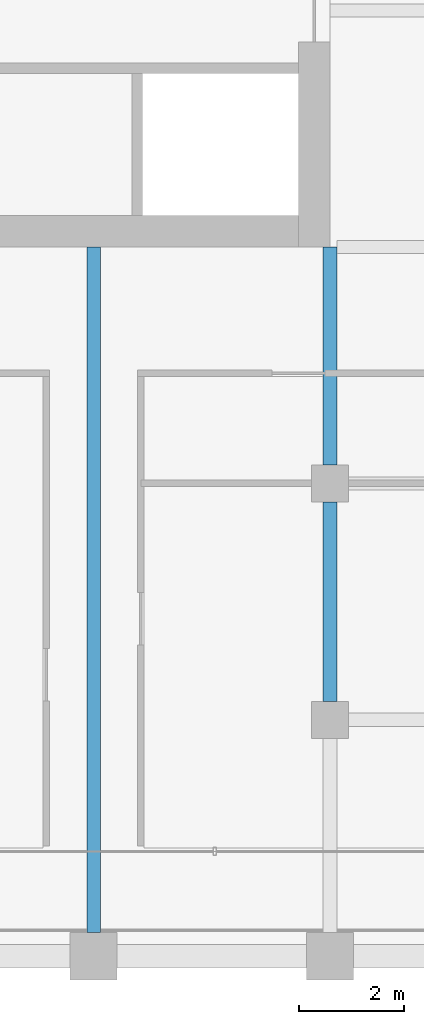
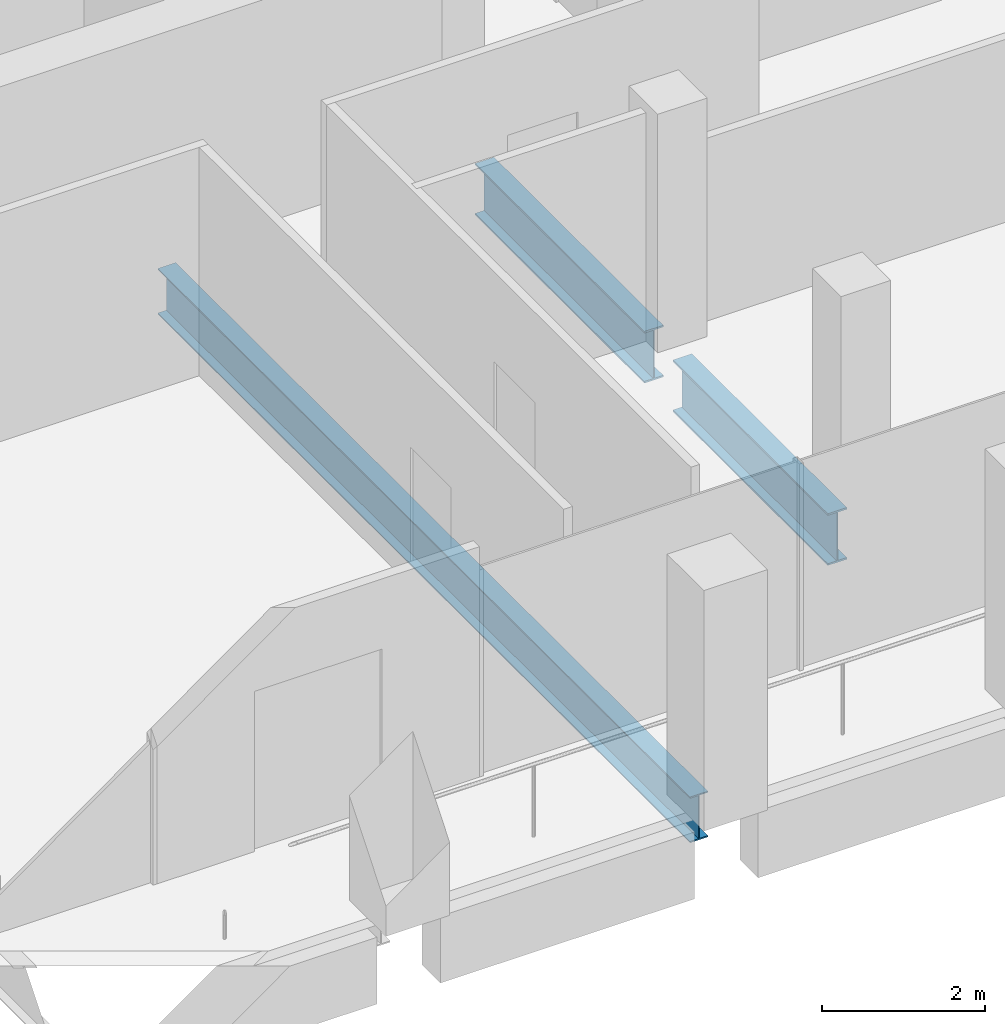
# One storey, part 10 of 40: 3 beams.
"""IFC4 building model written with IfcOpenShell, lengths in metres."""

from ifc_helpers import new_model, si_unit, direction, frame, origin, origin_2d, place, context, subcontext, project, spatial, i_section, extrude, material, material_profile, profile_set, type_object, element, save


model = new_model("IFC4")

# Units and contexts
model_context = context("Model", 3, precision=1e-05, world=origin(), true_north=direction((0.0, 1.0)))
body_context = subcontext(model_context, "Body", "Model", "MODEL_VIEW")
ifc_project = project(units=[si_unit("LENGTHUNIT", "METRE"), si_unit("AREAUNIT", "SQUARE_METRE"), si_unit("VOLUMEUNIT", "CUBIC_METRE"), si_unit("PLANEANGLEUNIT", "RADIAN"), si_unit("MASSUNIT", "GRAM", prefix="KILO")], contexts=[model_context])

# Site, building, storey
site_placement = place(None, origin())
site = spatial("IfcSite", under=ifc_project, at=site_placement, CompositionType="ELEMENT")
building_placement = place(site_placement, origin())
building = spatial("IfcBuilding", under=site, at=building_placement, Name="Altepetl Exchange Towers", CompositionType="ELEMENT")
storey_placement = place(building_placement, frame((0.0, 0.0, 179.800048828125)))
storey = spatial("IfcBuildingStorey", under=building, at=storey_placement, Name="L45", CompositionType="ELEMENT", Elevation=179.800048828125)

# Beams
ifc_material = material(Name="Steel S355", Category="steel")
ifc_material_profile_1 = material_profile(ifc_material, i_section(OverallWidth=0.25390625, OverallDepth=0.68408203125, WebThickness=0.012451171875, FlangeThickness=0.018798828125, at=origin_2d()), Name="W27X94")
ifc_profile_set_1 = profile_set([ifc_material_profile_1], Name="Steel S355")
beam_type_1 = type_object("IfcBeamType", Name="Floor beam W27X94", PredefinedType="BEAM", material=ifc_profile_set_1)
beam_1_placement = place(storey_placement, frame((54.0, 27.449951171875, -0.491943359375), z_axis=(0.0, 1.0, 0.0), x_axis=(-1.0, 0.0, 0.0)))
element("IfcBeam", 1, at=beam_1_placement, inside=storey, type_object=beam_type_1, Name="bm:A:L45:017", PredefinedType="BEAM", context=body_context, shape_type="SweptSolid", body=[
    extrude(i_section(OverallWidth=0.25390625, OverallDepth=0.68408203125, WebThickness=0.012451171875, FlangeThickness=0.018798828125, at=origin_2d()), origin(), (0.0, 0.0, 1.0), 13.050048828125),
])
ifc_material_profile_2 = material_profile(ifc_material, i_section(OverallWidth=0.26806640625, OverallDepth=0.77392578125, WebThickness=0.015380859375, FlangeThickness=0.025390625, at=origin_2d()), Name="W30X132")
ifc_profile_set_2 = profile_set([ifc_material_profile_2], Name="Steel S355")
beam_type_2 = type_object("IfcBeamType", Name="Girder W30X132", PredefinedType="BEAM", material=ifc_profile_set_2)
beam_2_placement = place(storey_placement, frame((58.5, 40.5, -0.537109375), z_axis=(0.0, -1.0, 0.0), x_axis=(1.0, 0.0, 0.0)))
element("IfcBeam", 2, at=beam_2_placement, inside=storey, type_object=beam_type_2, Name="gd:A:L45:003", PredefinedType="BEAM", context=body_context, shape_type="SweptSolid", body=[
    extrude(i_section(OverallWidth=0.26806640625, OverallDepth=0.77392578125, WebThickness=0.015380859375, FlangeThickness=0.025390625, at=origin_2d()), origin(), (0.0, 0.0, 1.0), 4.14990234375),
])
beam_3_placement = place(storey_placement, frame((58.5, 35.64990234375, -0.537109375), z_axis=(0.0, -1.0, 0.0), x_axis=(1.0, 0.0, 0.0)))
element("IfcBeam", 3, at=beam_3_placement, inside=storey, type_object=beam_type_2, Name="gd:A:L45:004", PredefinedType="BEAM", context=body_context, shape_type="SweptSolid", body=[
    extrude(i_section(OverallWidth=0.26806640625, OverallDepth=0.77392578125, WebThickness=0.015380859375, FlangeThickness=0.025390625, at=origin_2d()), origin(), (0.0, 0.0, 1.0), 3.7998046875),
])

save(model, "model.ifc")
